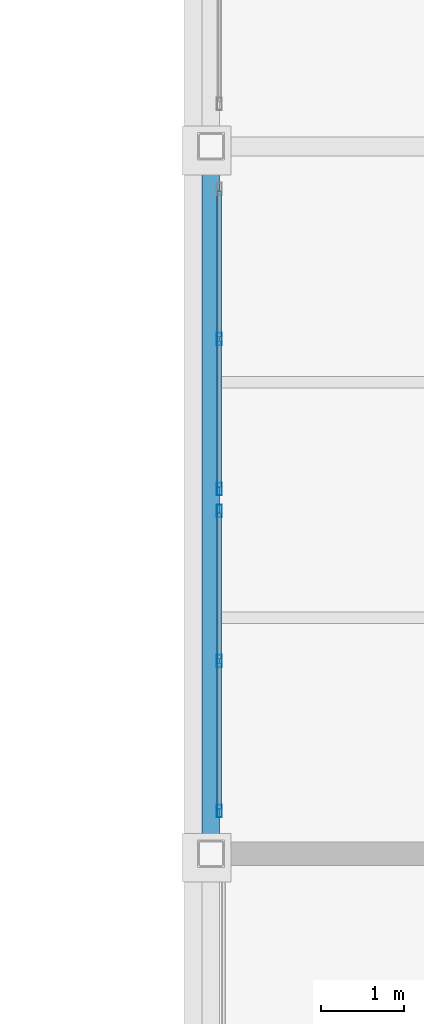
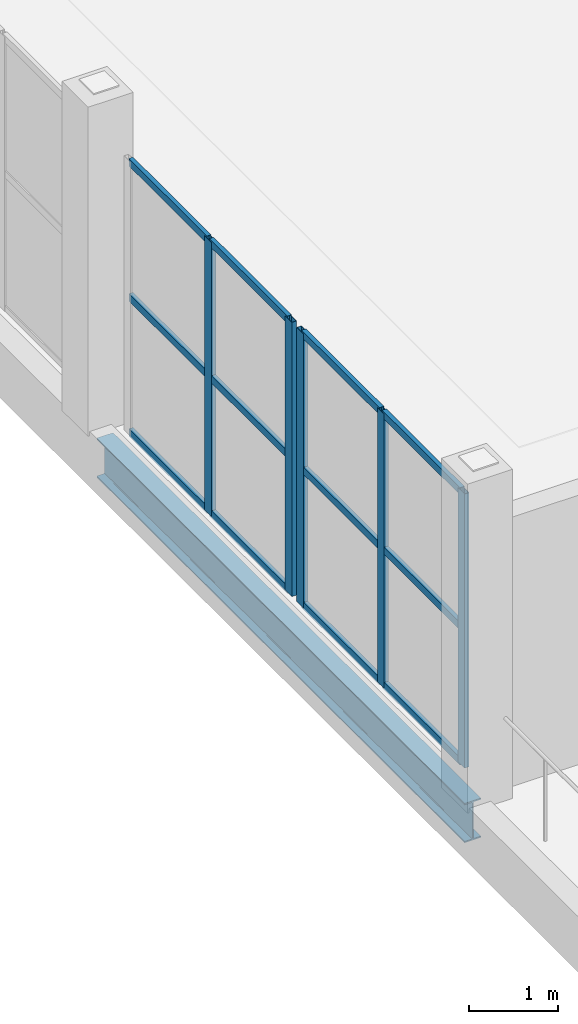
# One storey, part 72 of 156: 17 members, 1 beam, 2 elements without a shape of their own.
"""IFC4 building model written with IfcOpenShell, lengths in metres."""

import ifcopenshell
import ifcopenshell.guid

model = None  # the IFC model being written
_history = None  # IfcOwnerHistory: only IFC2X3 demands one
_inside = {}  # id of a spatial element -> (the spatial element, [elements in it])
_under = {}  # id of a project, library or spatial element -> (it, [spatial elements below it])
_declared = {}  # id of a project -> (the project, [libraries it declares])
_typed = {}  # id of a type object -> (the type object, [elements of that type])
_made_of = {}  # id of a material, layer set ... -> (it, [elements and type objects made of it])


def new_model(schema):
    """Start an empty IFC model of exactly this schema.

    Asked for "IFC4X3", IfcOpenShell would pick the latest addendum, in which some entities
    have other attributes; the version numbers below select the first issue.
    IFC2X3 requires an IfcOwnerHistory on every rooted entity: one is made here for all.
    """
    global model, _history
    if schema == "IFC4X3":
        model = ifcopenshell.file(schema_version=(4, 3, 0, 0))
    else:
        model = ifcopenshell.file(schema=schema)
    _inside.clear()
    _under.clear()
    _declared.clear()
    _typed.clear()
    _made_of.clear()
    _history = None
    if model.schema == "IFC2X3":
        org = make("IfcOrganization", Name="unknown")
        user = make(
            "IfcPersonAndOrganization",
            ThePerson=make("IfcPerson", FamilyName="unknown"),
            TheOrganization=org,
        )
        app = make(
            "IfcApplication",
            ApplicationDeveloper=org,
            Version="unknown",
            ApplicationFullName="unknown",
            ApplicationIdentifier="unknown",
        )
        _history = make(
            "IfcOwnerHistory",
            OwningUser=user,
            OwningApplication=app,
            ChangeAction="ADDED",
            CreationDate=0,
        )
    return model


def make(cls, **values):
    """One entity of the class cls with the attributes given. An attribute that is None is left unset."""
    return model.create_entity(
        cls, **{name: value for name, value in values.items() if value is not None}
    )


def rooted(cls, **values):
    """An entity with a GlobalId (a new one), such as an element, a storey or a relation."""
    return make(cls, GlobalId=ifcopenshell.guid.new(), OwnerHistory=_history, **values)


def si_unit(unit_type, name, prefix=None):
    """IfcSIUnit, for example si_unit("LENGTHUNIT", "METRE", prefix="MILLI")."""
    return make("IfcSIUnit", UnitType=unit_type, Prefix=prefix, Name=name)


def assignment(units):
    """IfcUnitAssignment: the units of a project."""
    return None if units is None else make("IfcUnitAssignment", Units=units)


def point(xyz):
    """IfcCartesianPoint."""
    return None if xyz is None else make("IfcCartesianPoint", Coordinates=xyz)


def direction(xyz):
    """IfcDirection."""
    return None if xyz is None else make("IfcDirection", DirectionRatios=xyz)


def frame(location, z_axis=None, x_axis=None):
    """IfcAxis2Placement3D, a coordinate frame: its origin and axes. An axis left out is left unset."""
    return make(
        "IfcAxis2Placement3D",
        Location=point(location),
        Axis=direction(z_axis),
        RefDirection=direction(x_axis),
    )


def frame_2d(location, x_axis=None):
    """IfcAxis2Placement2D, a coordinate frame in the plane: its origin and x axis."""
    return make(
        "IfcAxis2Placement2D", Location=point(location), RefDirection=direction(x_axis)
    )


def origin():
    """The frame at (0, 0, 0) with its axes left unset."""
    return frame((0.0, 0.0, 0.0))


def origin_2d():
    """The frame at (0, 0) in the plane with its x axis left unset."""
    return frame_2d((0.0, 0.0))


def place(relative_to, where):
    """IfcLocalPlacement: puts the frame where relative to a parent placement (None: the world)."""
    return make(
        "IfcLocalPlacement", PlacementRelTo=relative_to, RelativePlacement=where
    )


def context(
    kind, dimensions, precision=None, world=None, true_north=None, identifier=None
):
    """IfcGeometricRepresentationContext, for example the 3D "Model" context."""
    return make(
        "IfcGeometricRepresentationContext",
        ContextIdentifier=identifier,
        ContextType=kind,
        CoordinateSpaceDimension=dimensions,
        Precision=precision,
        WorldCoordinateSystem=world,
        TrueNorth=true_north,
    )


def subcontext(parent, identifier, kind, view, scale=None):
    """IfcGeometricRepresentationSubContext, for example "Body" below "Model"."""
    return make(
        "IfcGeometricRepresentationSubContext",
        ContextIdentifier=identifier,
        ContextType=kind,
        ParentContext=parent,
        TargetScale=scale,
        TargetView=view,
    )


def project(units=None, contexts=None):
    """IfcProject with its units and contexts."""
    return rooted(
        "IfcProject",
        Name="project",
        RepresentationContexts=contexts,
        UnitsInContext=assignment(units),
    )


def spatial(cls, under=None, at=None, **own):
    """A site, building, storey or space (cls), placed at a placement, below another one or the project."""
    s = rooted(cls, ObjectPlacement=at, **own)
    if under is not None:
        _under.setdefault(under.id(), (under, []))[1].append(s)
    return s


def profile(cls, at=None, kind="AREA", **sizes):
    """A parametric profile (cls). Its sizes go by their IFC names, for example OverallWidth=200.0."""
    return make(cls, ProfileType=kind, Position=at, **sizes)


def hollow_rectangle(**sizes):
    """IfcRectangleHollowProfileDef."""
    return profile("IfcRectangleHollowProfileDef", **sizes)


def i_section(**sizes):
    """IfcIShapeProfileDef."""
    return profile("IfcIShapeProfileDef", **sizes)


def extrude(swept, where, along, depth):
    """IfcExtrudedAreaSolid: the profile swept, set in the frame where, extruded along a direction by depth."""
    return make(
        "IfcExtrudedAreaSolid",
        SweptArea=swept,
        Position=where,
        ExtrudedDirection=direction(along),
        Depth=depth,
    )


def shape(context_of_items, identifier, shape_type, items):
    """IfcShapeRepresentation: the items that make up one representation, for example the "Body"."""
    return make(
        "IfcShapeRepresentation",
        ContextOfItems=context_of_items,
        RepresentationIdentifier=identifier,
        RepresentationType=shape_type,
        Items=items,
    )


def material(Name=None, Category=None):
    """IfcMaterial."""
    return make("IfcMaterial", Name=Name, Category=Category)


def material_profile(
    of_material, cross_section, Name=None, Category=None, Priority=None
):
    """IfcMaterialProfile: a cross section and its material."""
    return make(
        "IfcMaterialProfile",
        Name=Name,
        Material=of_material,
        Profile=cross_section,
        Priority=Priority,
        Category=Category,
    )


def profile_set(profiles, Name=None, composite=None):
    """IfcMaterialProfileSet."""
    return make(
        "IfcMaterialProfileSet",
        Name=Name,
        MaterialProfiles=profiles,
        CompositeProfile=composite,
    )


def made_of(thing, what):
    """Note that an element or type object is made of a material, layer set ...; save() writes the relation."""
    if what is not None:
        _made_of.setdefault(what.id(), (what, []))[1].append(thing)
    return thing


def type_object(cls, material=None, **own):
    """A type object (cls), such as IfcWallType, which elements share."""
    return made_of(rooted(cls, **own), material)


def element(
    cls,
    number,
    at=None,
    inside=None,
    cuts=None,
    type_object=None,
    material=None,
    context=None,
    identifier="Body",
    shape_type=None,
    held_by="IfcProductDefinitionShape",
    body=None,
    shapes=None,
    **own,
):
    """One element of the class cls, such as IfcWall. Its Tag is "e" and its number.

    at: its placement. inside: the storey or other place that contains it. cuts: it is an
    opening in that element (IfcRelVoidsElement). A single representation is given by context,
    identifier, shape_type and body (its items); several are given by shapes. held_by: the class
    of the entity that holds the representations. save() writes the other relations.
    """
    e = rooted(cls, Tag="e%d" % number, ObjectPlacement=at, **own)
    if body is not None:
        shapes = [shape(context, identifier, shape_type, body)]
    if shapes is not None:
        e.Representation = make(held_by, Representations=shapes)
    if inside is not None:
        _inside.setdefault(inside.id(), (inside, []))[1].append(e)
    if cuts is not None:
        rooted(
            "IfcRelVoidsElement", RelatingBuildingElement=cuts, RelatedOpeningElement=e
        )
    if type_object is not None:
        _typed.setdefault(type_object.id(), (type_object, []))[1].append(e)
    return made_of(e, material)


def aggregate(whole, parts):
    """IfcRelAggregates: a whole, such as a stair, and the parts it consists of."""
    return rooted("IfcRelAggregates", RelatingObject=whole, RelatedObjects=parts)


def save(model, path):
    """Write the relations noted so far, then the file.

    IfcRelAggregates (storeys below a building ...), IfcRelContainedInSpatialStructure (elements
    in a storey), IfcRelDefinesByType, IfcRelAssociatesMaterial and IfcRelDeclares: one each for
    every whole, place, type object, material and project.
    """
    for whole, parts in _under.values():
        aggregate(whole, parts)
    for where, things in _inside.values():
        rooted(
            "IfcRelContainedInSpatialStructure",
            RelatedElements=things,
            RelatingStructure=where,
        )
    for kind, things in _typed.values():
        rooted("IfcRelDefinesByType", RelatedObjects=things, RelatingType=kind)
    for what, things in _made_of.values():
        rooted("IfcRelAssociatesMaterial", RelatedObjects=things, RelatingMaterial=what)
    for by, libraries in _declared.values():
        rooted("IfcRelDeclares", RelatingContext=by, RelatedDefinitions=libraries)
    model.write(path)


model = new_model("IFC4")

# Units and contexts
model_context = context("Model", 3, precision=1e-05, world=origin(), true_north=direction((0.0, 1.0)))
body_context = subcontext(model_context, "Body", "Model", "MODEL_VIEW")
ifc_project = project(units=[si_unit("LENGTHUNIT", "METRE"), si_unit("AREAUNIT", "SQUARE_METRE"), si_unit("VOLUMEUNIT", "CUBIC_METRE"), si_unit("PLANEANGLEUNIT", "RADIAN"), si_unit("MASSUNIT", "GRAM", prefix="KILO")], contexts=[model_context])

# Site, building, storey
site_placement = place(None, origin())
site = spatial("IfcSite", under=ifc_project, at=site_placement, CompositionType="ELEMENT")
building_placement = place(site_placement, origin())
building = spatial("IfcBuilding", under=site, at=building_placement, Name="Caurita Quay Ferry Terminal", CompositionType="ELEMENT")
storey_placement = place(building_placement, frame((0.0, 0.0, 5.39990234375)))
storey = spatial("IfcBuildingStorey", under=building, at=storey_placement, Name="L01", CompositionType="ELEMENT", Elevation=5.39990234375)

# Beam
ifc_material_1 = material(Name="Structural steel ASTM A992 Gr. 50", Category="steel")
ifc_material_profile_1 = material_profile(ifc_material_1, i_section(OverallWidth=0.210693359375, OverallDepth=0.53857421875, WebThickness=0.01171875, FlangeThickness=0.018798828125, FilletRadius=0.013916015625, at=origin_2d()), Name="W21X73")
ifc_profile_set_1 = profile_set([ifc_material_profile_1], Name="Structural steel ASTM A992 Gr. 50")
beam_type = type_object("IfcBeamType", Name="BM-GR-W21A", PredefinedType="BEAM", material=ifc_profile_set_1)
beam_placement = place(storey_placement, frame((163.60009765625, 8.62939453125, -0.504150390625), z_axis=(0.0, 1.0, 0.0), x_axis=(-1.0, 0.0, 0.0)))
element("IfcBeam", 1, at=beam_placement, inside=storey, type_object=beam_type, Name="L01 Beam BM-V3P-L01-Y-1636-86", PredefinedType="BEAM", context=body_context, shape_type="SweptSolid", body=[
    extrude(i_section(OverallWidth=0.210693359375, OverallDepth=0.53857421875, WebThickness=0.01171875, FlangeThickness=0.018798828125, FilletRadius=0.013916015625, at=origin_2d()), origin(), (0.0, 0.0, 1.0), 8.2412109375),
])

# Curtain wall, members
ifc_material_2 = material(Name="Laminated solar-control insulated glass", Category="glass")
curtain_wall_type = type_object("IfcCurtainWallType", Name="CW-SYS-15", PredefinedType="NOTDEFINED", material=ifc_material_2)
curtain_wall_1_placement = place(storey_placement, origin())
curtain_wall_1 = element("IfcCurtainWall", 2, at=curtain_wall_1_placement, inside=storey, type_object=curtain_wall_type, Name="Boarding Gangway Ribbon Curtain Wall 124", PredefinedType="NOTDEFINED")
ifc_material_3 = material(Name="Anodized aluminium 6063-T6", Category="aluminium")
ifc_material_profile_2 = material_profile(ifc_material_3, hollow_rectangle(XDim=0.06005859375, YDim=0.14990234375, WallThickness=0.00341796875, at=origin_2d()), Name="ALU-MUL-60X150")
ifc_profile_set_2 = profile_set([ifc_material_profile_2], Name="Anodized aluminium 6063-T6")
member_type_1 = type_object("IfcMemberType", Name="CW-MUL-150", PredefinedType="MULLION", material=ifc_profile_set_2)
member_1_placement = place(storey_placement, frame((163.699951171875, 9.010009765625, 0.0), z_axis=(0.0, 0.0, 1.0), x_axis=(-1.0, 0.0, 0.0)))
member_1 = element("IfcMember", 3, at=member_1_placement, type_object=member_type_1, Name="CW-BGW-124 Mullion 1", PredefinedType="MULLION", context=body_context, shape_type="SweptSolid", body=[
    extrude(hollow_rectangle(XDim=0.06005859375, YDim=0.14990234375, WallThickness=0.00341796875, at=origin_2d()), origin(), (0.0, 0.0, 1.0), 3.75),
])
member_2_placement = place(storey_placement, frame((163.699951171875, 10.81494140625, 0.0), z_axis=(0.0, 0.0, 1.0), x_axis=(-1.0, 0.0, 0.0)))
member_2 = element("IfcMember", 4, at=member_2_placement, type_object=member_type_1, Name="CW-BGW-124 Mullion 2", PredefinedType="MULLION", context=body_context, shape_type="SweptSolid", body=[
    extrude(hollow_rectangle(XDim=0.06005859375, YDim=0.14990234375, WallThickness=0.00341796875, at=origin_2d()), origin(), (0.0, 0.0, 1.0), 3.75),
])
member_3_placement = place(storey_placement, frame((163.699951171875, 12.6201171875, 0.0), z_axis=(0.0, 0.0, 1.0), x_axis=(-1.0, 0.0, 0.0)))
member_3 = element("IfcMember", 5, at=member_3_placement, type_object=member_type_1, Name="CW-BGW-124 Mullion 3", PredefinedType="MULLION", context=body_context, shape_type="SweptSolid", body=[
    extrude(hollow_rectangle(XDim=0.06005859375, YDim=0.14990234375, WallThickness=0.00341796875, at=origin_2d()), origin(), (0.0, 0.0, 1.0), 3.75),
])

curtain_wall_2_placement = place(storey_placement, origin())
curtain_wall_2 = element("IfcCurtainWall", 6, at=curtain_wall_2_placement, inside=storey, type_object=curtain_wall_type, Name="Boarding Gangway Ribbon Curtain Wall 125", PredefinedType="NOTDEFINED")
member_4_placement = place(storey_placement, frame((163.699951171875, 12.8798828125, 0.0), z_axis=(0.0, 0.0, 1.0), x_axis=(-1.0, 0.0, 0.0)))
member_4 = element("IfcMember", 7, at=member_4_placement, type_object=member_type_1, Name="CW-BGW-125 Mullion 1", PredefinedType="MULLION", context=body_context, shape_type="SweptSolid", body=[
    extrude(hollow_rectangle(XDim=0.06005859375, YDim=0.14990234375, WallThickness=0.00341796875, at=origin_2d()), origin(), (0.0, 0.0, 1.0), 3.75),
])
member_5_placement = place(storey_placement, frame((163.699951171875, 14.68505859375, 0.0), z_axis=(0.0, 0.0, 1.0), x_axis=(-1.0, 0.0, 0.0)))
member_5 = element("IfcMember", 8, at=member_5_placement, type_object=member_type_1, Name="CW-BGW-125 Mullion 2", PredefinedType="MULLION", context=body_context, shape_type="SweptSolid", body=[
    extrude(hollow_rectangle(XDim=0.06005859375, YDim=0.14990234375, WallThickness=0.00341796875, at=origin_2d()), origin(), (0.0, 0.0, 1.0), 3.75),
])

# Member
ifc_material_profile_3 = material_profile(ifc_material_3, hollow_rectangle(XDim=0.054931640625, YDim=0.10009765625, WallThickness=0.00341796875, at=origin_2d()), Name="ALU-TRN-55X100")
ifc_profile_set_3 = profile_set([ifc_material_profile_3], Name="Anodized aluminium 6063-T6")
member_type_2 = type_object("IfcMemberType", Name="CW-TRN-100", PredefinedType="USERDEFINED", material=ifc_profile_set_3)
member_6_placement = place(storey_placement, frame((163.699951171875, 9.0380859375, 0.027587890625), z_axis=(0.0, 1.0, 0.0), x_axis=(-1.0, 0.0, 0.0)))
member_6 = element("IfcMember", 9, at=member_6_placement, type_object=member_type_2, Name="CW-BGW-124 Transom 1", ObjectType="TRANSOM", PredefinedType="USERDEFINED", context=body_context, shape_type="SweptSolid", body=[
    extrude(hollow_rectangle(XDim=0.054931640625, YDim=0.10009765625, WallThickness=0.00341796875, at=origin_2d()), origin(), (0.0, 0.0, 1.0), 1.7490234375),
])

member_7_placement = place(storey_placement, frame((163.699951171875, 9.0380859375, 1.875), z_axis=(0.0, 1.0, 0.0), x_axis=(-1.0, 0.0, 0.0)))
member_7 = element("IfcMember", 10, at=member_7_placement, type_object=member_type_2, Name="CW-BGW-124 Transom 2", ObjectType="TRANSOM", PredefinedType="USERDEFINED", context=body_context, shape_type="SweptSolid", body=[
    extrude(hollow_rectangle(XDim=0.054931640625, YDim=0.10009765625, WallThickness=0.00341796875, at=origin_2d()), origin(), (0.0, 0.0, 1.0), 1.7490234375),
])

member_8_placement = place(storey_placement, frame((163.699951171875, 9.0380859375, 3.72265625), z_axis=(0.0, 1.0, 0.0), x_axis=(-1.0, 0.0, 0.0)))
member_8 = element("IfcMember", 11, at=member_8_placement, type_object=member_type_2, Name="CW-BGW-124 Transom 3", ObjectType="TRANSOM", PredefinedType="USERDEFINED", context=body_context, shape_type="SweptSolid", body=[
    extrude(hollow_rectangle(XDim=0.054931640625, YDim=0.10009765625, WallThickness=0.00341796875, at=origin_2d()), origin(), (0.0, 0.0, 1.0), 1.7490234375),
])

member_9_placement = place(storey_placement, frame((163.699951171875, 10.843017578125, 0.027587890625), z_axis=(0.0, 1.0, 0.0), x_axis=(-1.0, 0.0, 0.0)))
member_9 = element("IfcMember", 12, at=member_9_placement, type_object=member_type_2, Name="CW-BGW-124 Transom 4", ObjectType="TRANSOM", PredefinedType="USERDEFINED", context=body_context, shape_type="SweptSolid", body=[
    extrude(hollow_rectangle(XDim=0.054931640625, YDim=0.10009765625, WallThickness=0.00341796875, at=origin_2d()), origin(), (0.0, 0.0, 1.0), 1.7490234375),
])

member_10_placement = place(storey_placement, frame((163.699951171875, 10.843017578125, 1.875), z_axis=(0.0, 1.0, 0.0), x_axis=(-1.0, 0.0, 0.0)))
member_10 = element("IfcMember", 13, at=member_10_placement, type_object=member_type_2, Name="CW-BGW-124 Transom 5", ObjectType="TRANSOM", PredefinedType="USERDEFINED", context=body_context, shape_type="SweptSolid", body=[
    extrude(hollow_rectangle(XDim=0.054931640625, YDim=0.10009765625, WallThickness=0.00341796875, at=origin_2d()), origin(), (0.0, 0.0, 1.0), 1.7490234375),
])

member_11_placement = place(storey_placement, frame((163.699951171875, 10.843017578125, 3.72265625), z_axis=(0.0, 1.0, 0.0), x_axis=(-1.0, 0.0, 0.0)))
member_11 = element("IfcMember", 14, at=member_11_placement, type_object=member_type_2, Name="CW-BGW-124 Transom 6", ObjectType="TRANSOM", PredefinedType="USERDEFINED", context=body_context, shape_type="SweptSolid", body=[
    extrude(hollow_rectangle(XDim=0.054931640625, YDim=0.10009765625, WallThickness=0.00341796875, at=origin_2d()), origin(), (0.0, 0.0, 1.0), 1.7490234375),
])

aggregate(curtain_wall_1, [member_1, member_2, member_3, member_6, member_7, member_8, member_9, member_10, member_11])

member_12_placement = place(storey_placement, frame((163.699951171875, 12.907958984375, 0.027587890625), z_axis=(0.0, 1.0, 0.0), x_axis=(-1.0, 0.0, 0.0)))
member_12 = element("IfcMember", 15, at=member_12_placement, type_object=member_type_2, Name="CW-BGW-125 Transom 1", ObjectType="TRANSOM", PredefinedType="USERDEFINED", context=body_context, shape_type="SweptSolid", body=[
    extrude(hollow_rectangle(XDim=0.054931640625, YDim=0.10009765625, WallThickness=0.00341796875, at=origin_2d()), origin(), (0.0, 0.0, 1.0), 1.7490234375),
])

member_13_placement = place(storey_placement, frame((163.699951171875, 12.907958984375, 1.875), z_axis=(0.0, 1.0, 0.0), x_axis=(-1.0, 0.0, 0.0)))
member_13 = element("IfcMember", 16, at=member_13_placement, type_object=member_type_2, Name="CW-BGW-125 Transom 2", ObjectType="TRANSOM", PredefinedType="USERDEFINED", context=body_context, shape_type="SweptSolid", body=[
    extrude(hollow_rectangle(XDim=0.054931640625, YDim=0.10009765625, WallThickness=0.00341796875, at=origin_2d()), origin(), (0.0, 0.0, 1.0), 1.7490234375),
])

member_14_placement = place(storey_placement, frame((163.699951171875, 12.907958984375, 3.72265625), z_axis=(0.0, 1.0, 0.0), x_axis=(-1.0, 0.0, 0.0)))
member_14 = element("IfcMember", 17, at=member_14_placement, type_object=member_type_2, Name="CW-BGW-125 Transom 3", ObjectType="TRANSOM", PredefinedType="USERDEFINED", context=body_context, shape_type="SweptSolid", body=[
    extrude(hollow_rectangle(XDim=0.054931640625, YDim=0.10009765625, WallThickness=0.00341796875, at=origin_2d()), origin(), (0.0, 0.0, 1.0), 1.7490234375),
])

member_15_placement = place(storey_placement, frame((163.699951171875, 14.712890625, 0.027587890625), z_axis=(0.0, 1.0, 0.0), x_axis=(-1.0, 0.0, 0.0)))
member_15 = element("IfcMember", 18, at=member_15_placement, type_object=member_type_2, Name="CW-BGW-125 Transom 4", ObjectType="TRANSOM", PredefinedType="USERDEFINED", context=body_context, shape_type="SweptSolid", body=[
    extrude(hollow_rectangle(XDim=0.054931640625, YDim=0.10009765625, WallThickness=0.00341796875, at=origin_2d()), origin(), (0.0, 0.0, 1.0), 1.7490234375),
])

member_16_placement = place(storey_placement, frame((163.699951171875, 14.712890625, 1.875), z_axis=(0.0, 1.0, 0.0), x_axis=(-1.0, 0.0, 0.0)))
member_16 = element("IfcMember", 19, at=member_16_placement, type_object=member_type_2, Name="CW-BGW-125 Transom 5", ObjectType="TRANSOM", PredefinedType="USERDEFINED", context=body_context, shape_type="SweptSolid", body=[
    extrude(hollow_rectangle(XDim=0.054931640625, YDim=0.10009765625, WallThickness=0.00341796875, at=origin_2d()), origin(), (0.0, 0.0, 1.0), 1.7490234375),
])

member_17_placement = place(storey_placement, frame((163.699951171875, 14.712890625, 3.72265625), z_axis=(0.0, 1.0, 0.0), x_axis=(-1.0, 0.0, 0.0)))
member_17 = element("IfcMember", 20, at=member_17_placement, type_object=member_type_2, Name="CW-BGW-125 Transom 6", ObjectType="TRANSOM", PredefinedType="USERDEFINED", context=body_context, shape_type="SweptSolid", body=[
    extrude(hollow_rectangle(XDim=0.054931640625, YDim=0.10009765625, WallThickness=0.00341796875, at=origin_2d()), origin(), (0.0, 0.0, 1.0), 1.7490234375),
])

aggregate(curtain_wall_2, [member_4, member_5, member_12, member_13, member_14, member_15, member_16, member_17])

save(model, "model.ifc")
